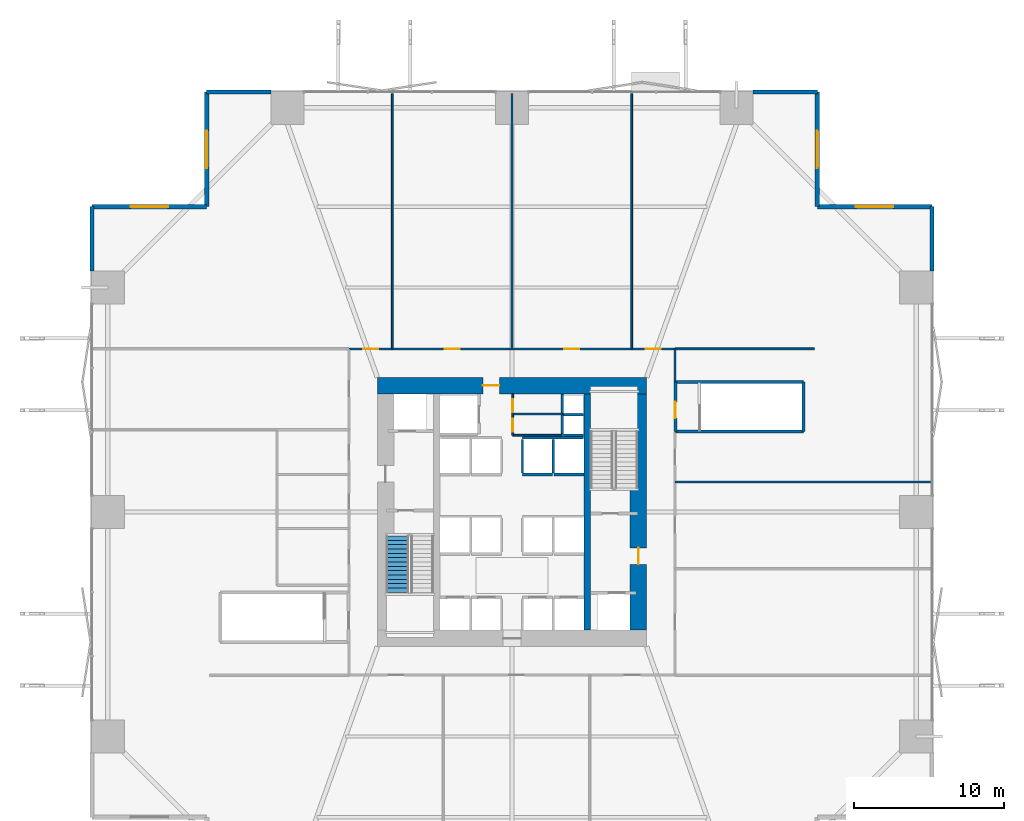
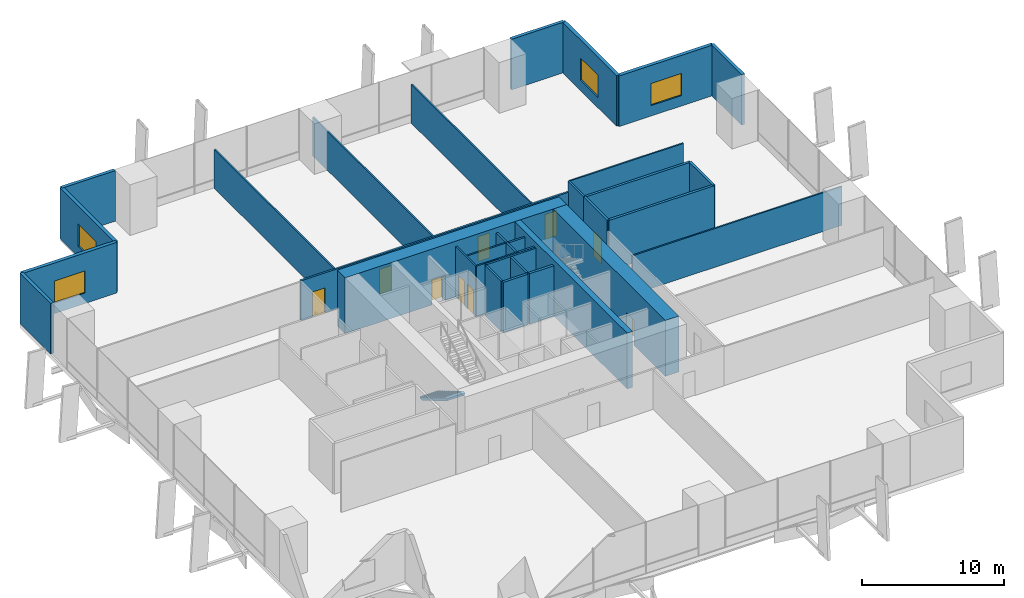
# One storey, part 21 of 24: 33 walls, 9 doors, 4 windows, 1 stair flight, 13 openings, 1 element without a shape of its own.
"""IFC4 building model written with IfcOpenShell, lengths in metres."""

from ifc_helpers import new_model, si_unit, direction, frame, frame_2d, origin, place, context, subcontext, project, spatial, polyline, rectangle, outline, extrude, material, layer, layer_set, type_object, element, fill, aggregate, save


model = new_model("IFC4")

# Units and contexts
model_context = context("Model", 3, precision=1e-05, world=origin(), true_north=direction((0.0, 1.0)))
body_context = subcontext(model_context, "Body", "Model", "MODEL_VIEW")
ifc_project = project(units=[si_unit("LENGTHUNIT", "METRE"), si_unit("AREAUNIT", "SQUARE_METRE"), si_unit("VOLUMEUNIT", "CUBIC_METRE"), si_unit("PLANEANGLEUNIT", "RADIAN"), si_unit("MASSUNIT", "GRAM", prefix="KILO")], contexts=[model_context])

# Site, building, storey
site_placement = place(None, origin())
site = spatial("IfcSite", under=ifc_project, at=site_placement, CompositionType="ELEMENT")
building_placement = place(site_placement, origin())
building = spatial("IfcBuilding", under=site, at=building_placement, Name="Belovzor Exchange Tower", CompositionType="ELEMENT")
storey_placement = place(building_placement, frame((0.0, 0.0, 19.199951171875)))
storey = spatial("IfcBuildingStorey", under=building, at=storey_placement, Name="L04", CompositionType="ELEMENT", Elevation=19.199951171875)

# Walls
ifc_material_1 = material(Name="Acoustic Plasterboard on Galvanised Studs", Category="gypsum")
ifc_layer_1 = layer(ifc_material_1, 0.1201171875)
ifc_layer_set_1 = layer_set([ifc_layer_1], Name="Acoustic Plasterboard on Galvanised Studs")
wall_type_1 = type_object("IfcWallType", Name="Acoustic Double-Stud Partition Wall 120", PredefinedType="PARTITIONING", material=ifc_layer_set_1)
for number, where, z_axis, x_axis, name in (
    (1, (20.800048828125, 39.699951171875, 0.0), (0.0, 0.0, 1.0), (0.0, 1.0, 0.0), "W-P120 Partition Wall W-L04-ND1"),
    (2, (28.800048828125, 39.699951171875, 0.0), (0.0, 0.0, 1.0), (0.0, 1.0, 0.0), "W-P120 Partition Wall W-L04-ND2"),
    (3, (36.800048828125, 39.699951171875, 0.0), (0.0, 0.0, 1.0), (0.0, 1.0, 0.0), "W-P120 Partition Wall W-L04-ND3"),
    (4, (39.699951171875, 30.800048828125, 0.0), (0.0, 0.0, 1.0), (1.0, 0.0, 0.0), "W-P120 Partition Wall W-L04-ED2"),
):
    element("IfcWall", number, at=place(storey_placement, frame(where, z_axis=z_axis, x_axis=x_axis)), inside=storey, type_object=wall_type_1, Name=name, PredefinedType="PARTITIONING", context=body_context, shape_type="SweptSolid", body=[
        extrude(rectangle(XDim=17.050048828125, YDim=0.1201171875, at=frame_2d((8.52490234375, 0.0))), origin(), (0.0, 0.0, 1.0), 3.3349609375),
    ])
wall_1_placement = place(storey_placement, frame((39.699951171875, 39.699951171875, 0.0), z_axis=(0.0, 0.0, 1.0), x_axis=(1.0, 0.0, 0.0)))
element("IfcWall", 5, at=wall_1_placement, inside=storey, type_object=wall_type_1, Name="W-P120 Partition Wall W-L04-OUT-NE", PredefinedType="PARTITIONING", context=body_context, shape_type="SweptSolid", body=[
    extrude(rectangle(XDim=9.300048828125, YDim=0.1201171875, at=frame_2d((4.64990234375, 0.0))), origin(), (0.0, 0.0, 1.0), 4.35009765625),
])

# Wall, openings, doors
ifc_material_2 = material(Name="Fire-Rated Plasterboard on Galvanised Studs", Category="gypsum")
ifc_layer_2 = layer(ifc_material_2, 0.1201171875)
ifc_layer_set_2 = layer_set([ifc_layer_2], Name="Fire-Rated Plasterboard on Galvanised Studs")
wall_type_2 = type_object("IfcWallType", Name="Fire-Rated Double-Stud Partition Wall 120", PredefinedType="PARTITIONING", material=ifc_layer_set_2)
wall_2_placement = place(storey_placement, frame((28.85009765625, 33.925048828125, 0.0), z_axis=(0.0, 0.0, 1.0), x_axis=(0.0, 1.0, 0.0)))
wall_2 = element("IfcWall", 6, at=wall_2_placement, inside=storey, type_object=wall_type_2, Name="W-P120F Partition Wall W-CRV-L04-W", PredefinedType="PARTITIONING", context=body_context, shape_type="SweptSolid", body=[
    extrude(rectangle(XDim=2.77490234375, YDim=0.1201171875, at=frame_2d((1.387451171875, 0.0))), origin(), (0.0, 0.0, 1.0), 4.35009765625),
])
opening_1_placement = place(wall_2_placement, frame((0.25, 0.0, 0.0)))
opening_1 = element("IfcOpeningElement", 7, at=opening_1_placement, cuts=wall_2, Name="Opening D-FD60-085", PredefinedType="OPENING", context=body_context, shape_type="SweptSolid", body=[
    extrude(rectangle(XDim=0.85009765625, YDim=2.10009765625, at=frame_2d((0.425048828125, 1.050048828125))), frame((0.0, 0.070068359375, 0.0), z_axis=(0.0, -1.0, 0.0), x_axis=(1.0, 0.0, 0.0)), (0.0, 0.0, 1.0), 0.14013671875),
])
opening_2_placement = place(wall_2_placement, frame((1.544921875, 0.0, 0.0)))
opening_2 = element("IfcOpeningElement", 8, at=opening_2_placement, cuts=wall_2, Name="Opening D-FD60-085", PredefinedType="OPENING", context=body_context, shape_type="SweptSolid", body=[
    extrude(rectangle(XDim=0.85009765625, YDim=2.10009765625, at=frame_2d((0.425048828125, 1.050048828125))), frame((0.0, 0.070068359375, 0.0), z_axis=(0.0, -1.0, 0.0), x_axis=(1.0, 0.0, 0.0)), (0.0, 0.0, 1.0), 0.14013671875),
])
ifc_material_3 = material(Name="Fire-Rated Steel Access Leaf", Category="steel")
door_type_1 = type_object("IfcDoorType", Name="Riser & Meter Closet Access Fire Door 850x2100", OperationType="NOTDEFINED", PredefinedType="DOOR", material=ifc_material_3)
door_1_placement = place(opening_1_placement, origin())
door_1 = element("IfcDoor", 9, at=door_1_placement, inside=storey, type_object=door_type_1, Name="D-FD60-085 Riser & Meter Closet Access Fire Door 850x2100", OperationType="SINGLE_SWING_LEFT", OverallHeight=2.10009765625, OverallWidth=0.85009765625, PredefinedType="DOOR", context=body_context, shape_type="SweptSolid", body=[
    extrude(rectangle(XDim=0.85009765625, YDim=2.10009765625, at=frame_2d((0.425048828125, 1.050048828125))), frame((0.0, 0.02490234375, 0.0), z_axis=(0.0, -1.0, 0.0), x_axis=(1.0, 0.0, 0.0)), (0.0, 0.0, 1.0), 0.050048828125),
])
fill(opening_1, door_1)
door_2_placement = place(opening_2_placement, origin())
door_2 = element("IfcDoor", 10, at=door_2_placement, inside=storey, type_object=door_type_1, Name="D-FD60-085 Riser & Meter Closet Access Fire Door 850x2100", OperationType="SINGLE_SWING_RIGHT", OverallHeight=2.10009765625, OverallWidth=0.85009765625, PredefinedType="DOOR", context=body_context, shape_type="SweptSolid", body=[
    extrude(rectangle(XDim=0.85009765625, YDim=2.10009765625, at=frame_2d((0.425048828125, 1.050048828125))), frame((0.0, 0.02490234375, 0.0), z_axis=(0.0, -1.0, 0.0), x_axis=(1.0, 0.0, 0.0)), (0.0, 0.0, 1.0), 0.050048828125),
])
fill(opening_2, door_2)

# Walls
for number, where, z_axis, x_axis, name in (
    (11, (28.85009765625, 35.35009765625, 0.0), (0.0, 0.0, 1.0), (1.0, 0.0, 0.0), "W-P120F Partition Wall W-CRV-L04-M"),
    (12, (28.85009765625, 33.925048828125, 0.0), (0.0, 0.0, 1.0), (1.0, 0.0, 0.0), "W-P120F Partition Wall W-CRV-L04-S"),
):
    element("IfcWall", number, at=place(storey_placement, frame(where, z_axis=z_axis, x_axis=x_axis)), inside=storey, type_object=wall_type_2, Name=name, PredefinedType="PARTITIONING", context=body_context, shape_type="SweptSolid", body=[
        extrude(rectangle(XDim=3.2998046875, YDim=0.1201171875, at=frame_2d((1.64990234375, 0.0))), origin(), (0.0, 0.0, 1.0), 4.35009765625),
    ])

# Wall, openings, doors
ifc_material_4 = material(Name="Fire-Rated Gypsum Block and Mineral Wool", Category="gypsum")
ifc_layer_3 = layer(ifc_material_4, 0.14990234375)
ifc_layer_set_3 = layer_set([ifc_layer_3], Name="Fire-Rated Gypsum Block and Mineral Wool")
wall_type_3 = type_object("IfcWallType", Name="Fire-Rated Gypsum Block Corridor Wall 150", PredefinedType="PARTITIONING", material=ifc_layer_set_3)
wall_3_placement = place(storey_placement, frame((17.89990234375, 39.699951171875, 0.0), z_axis=(0.0, 0.0, 1.0), x_axis=(1.0, 0.0, 0.0)))
wall_3 = element("IfcWall", 13, at=wall_3_placement, inside=storey, type_object=wall_type_3, Name="W-P150 Partition Wall W-L04-CN", PredefinedType="PARTITIONING", context=body_context, shape_type="SweptSolid", body=[
    extrude(rectangle(XDim=21.800048828125, YDim=0.14990234375, at=frame_2d((10.89990234375, 0.0))), origin(), (0.0, 0.0, 1.0), 3.43505859375),
])
opening_3_placement = place(wall_3_placement, frame((0.949951171875, 0.0, 0.0)))
opening_3 = element("IfcOpeningElement", 14, at=opening_3_placement, cuts=wall_3, Name="Opening D-FD60-105", PredefinedType="OPENING", context=body_context, shape_type="SweptSolid", body=[
    extrude(rectangle(XDim=1.0, YDim=2.14990234375, at=frame_2d((0.5, 1.074951171875))), frame((0.0, 0.0849609375, 0.0), z_axis=(0.0, -1.0, 0.0), x_axis=(1.0, 0.0, 0.0)), (0.0, 0.0, 1.0), 0.169921875),
])
opening_4_placement = place(wall_3_placement, frame((6.39990234375, 0.0, 0.0)))
opening_4 = element("IfcOpeningElement", 15, at=opening_4_placement, cuts=wall_3, Name="Opening D-FD60-105", PredefinedType="OPENING", context=body_context, shape_type="SweptSolid", body=[
    extrude(rectangle(XDim=1.0, YDim=2.14990234375, at=frame_2d((0.5, 1.074951171875))), frame((0.0, 0.0849609375, 0.0), z_axis=(0.0, -1.0, 0.0), x_axis=(1.0, 0.0, 0.0)), (0.0, 0.0, 1.0), 0.169921875),
])
opening_5_placement = place(wall_3_placement, frame((14.39990234375, 0.0, 0.0)))
opening_5 = element("IfcOpeningElement", 16, at=opening_5_placement, cuts=wall_3, Name="Opening D-FD60-105", PredefinedType="OPENING", context=body_context, shape_type="SweptSolid", body=[
    extrude(rectangle(XDim=1.0, YDim=2.14990234375, at=frame_2d((0.5, 1.074951171875))), frame((0.0, 0.0849609375, 0.0), z_axis=(0.0, -1.0, 0.0), x_axis=(1.0, 0.0, 0.0)), (0.0, 0.0, 1.0), 0.169921875),
])
opening_6_placement = place(wall_3_placement, frame((19.85009765625, 0.0, 0.0)))
opening_6 = element("IfcOpeningElement", 17, at=opening_6_placement, cuts=wall_3, Name="Opening D-FD60-105", PredefinedType="OPENING", context=body_context, shape_type="SweptSolid", body=[
    extrude(rectangle(XDim=1.0, YDim=2.14990234375, at=frame_2d((0.5, 1.074951171875))), frame((0.0, 0.0849609375, 0.0), z_axis=(0.0, -1.0, 0.0), x_axis=(1.0, 0.0, 0.0)), (0.0, 0.0, 1.0), 0.169921875),
])
ifc_material_5 = material(Name="Acoustic Timber Fire Leaf", Category="wood")
door_type_2 = type_object("IfcDoorType", Name="Podium Gallery Acoustic Fire Door 1000x2150", OperationType="NOTDEFINED", PredefinedType="DOOR", material=ifc_material_5)
door_3_placement = place(opening_3_placement, origin())
door_3 = element("IfcDoor", 18, at=door_3_placement, inside=storey, type_object=door_type_2, Name="D-FD60-105 Podium Gallery Acoustic Fire Door 1000x2150", OperationType="SINGLE_SWING_RIGHT", OverallHeight=2.14990234375, OverallWidth=1.0, PredefinedType="DOOR", context=body_context, shape_type="SweptSolid", body=[
    extrude(rectangle(XDim=1.0, YDim=2.14990234375, at=frame_2d((0.5, 1.074951171875))), frame((0.0, 0.02490234375, 0.0), z_axis=(0.0, -1.0, 0.0), x_axis=(1.0, 0.0, 0.0)), (0.0, 0.0, 1.0), 0.050048828125),
])
fill(opening_3, door_3)
door_4_placement = place(opening_4_placement, origin())
door_4 = element("IfcDoor", 19, at=door_4_placement, inside=storey, type_object=door_type_2, Name="D-FD60-105 Podium Gallery Acoustic Fire Door 1000x2150", OperationType="SINGLE_SWING_RIGHT", OverallHeight=2.14990234375, OverallWidth=1.0, PredefinedType="DOOR", context=body_context, shape_type="SweptSolid", body=[
    extrude(rectangle(XDim=1.0, YDim=2.14990234375, at=frame_2d((0.5, 1.074951171875))), frame((0.0, 0.02490234375, 0.0), z_axis=(0.0, -1.0, 0.0), x_axis=(1.0, 0.0, 0.0)), (0.0, 0.0, 1.0), 0.050048828125),
])
fill(opening_4, door_4)
door_5_placement = place(opening_5_placement, origin())
door_5 = element("IfcDoor", 20, at=door_5_placement, inside=storey, type_object=door_type_2, Name="D-FD60-105 Podium Gallery Acoustic Fire Door 1000x2150", OperationType="SINGLE_SWING_RIGHT", OverallHeight=2.14990234375, OverallWidth=1.0, PredefinedType="DOOR", context=body_context, shape_type="SweptSolid", body=[
    extrude(rectangle(XDim=1.0, YDim=2.14990234375, at=frame_2d((0.5, 1.074951171875))), frame((0.0, 0.02490234375, 0.0), z_axis=(0.0, -1.0, 0.0), x_axis=(1.0, 0.0, 0.0)), (0.0, 0.0, 1.0), 0.050048828125),
])
fill(opening_5, door_5)
door_6_placement = place(opening_6_placement, origin())
door_6 = element("IfcDoor", 21, at=door_6_placement, inside=storey, type_object=door_type_2, Name="D-FD60-105 Podium Gallery Acoustic Fire Door 1000x2150", OperationType="SINGLE_SWING_RIGHT", OverallHeight=2.14990234375, OverallWidth=1.0, PredefinedType="DOOR", context=body_context, shape_type="SweptSolid", body=[
    extrude(rectangle(XDim=1.0, YDim=2.14990234375, at=frame_2d((0.5, 1.074951171875))), frame((0.0, 0.02490234375, 0.0), z_axis=(0.0, -1.0, 0.0), x_axis=(1.0, 0.0, 0.0)), (0.0, 0.0, 1.0), 0.050048828125),
])
fill(opening_6, door_6)

# Wall
wall_4_placement = place(storey_placement, frame((39.699951171875, 37.5, 0.0), z_axis=(0.0, 0.0, 1.0), x_axis=(0.0, 1.0, 0.0)))
element("IfcWall", 22, at=wall_4_placement, inside=storey, type_object=wall_type_3, Name="W-P150 Partition Wall W-L04-CEN", PredefinedType="PARTITIONING", context=body_context, shape_type="SweptSolid", body=[
    extrude(rectangle(XDim=2.199951171875, YDim=0.14990234375, at=frame_2d((1.10009765625, 0.0))), origin(), (0.0, 0.0, 1.0), 4.35009765625),
])

# Wall, opening, window
ifc_material_6 = material(Name="Precast concrete C40/50", Category="concrete")
ifc_layer_4 = layer(ifc_material_6, 0.280029296875)
ifc_layer_set_4 = layer_set([ifc_layer_4], Name="Precast concrete C40/50")
wall_type_4 = type_object("IfcWallType", Name="Precast Concrete Notched Corner Frame Wall 280", PredefinedType="SOLIDWALL", material=ifc_layer_set_4)
wall_5_placement = place(storey_placement, frame((0.72998046875, 49.199951171875, 0.0), z_axis=(0.0, 0.0, 1.0), x_axis=(1.0, 0.0, 0.0)))
wall_5 = element("IfcWall", 23, at=wall_5_placement, inside=storey, type_object=wall_type_4, Name="W-CRN280 Precast Concrete Notched Corner Frame Wall 280 L04", PredefinedType="SOLIDWALL", context=body_context, shape_type="SweptSolid", body=[
    extrude(rectangle(XDim=7.669921875, YDim=0.280029296875, at=frame_2d((3.8349609375, 0.0))), origin(), (0.0, 0.0, 1.0), 4.35009765625),
])
opening_7_placement = place(wall_5_placement, frame((2.5849609375, 0.0, 0.89990234375)))
opening_7 = element("IfcOpeningElement", 24, at=opening_7_placement, cuts=wall_5, Name="Opening WN-CRN250", PredefinedType="OPENING", context=body_context, shape_type="SweptSolid", body=[
    extrude(rectangle(XDim=2.5, YDim=1.89990234375, at=frame_2d((1.25, 0.949951171875))), frame((0.0, 0.14990234375, 0.0), z_axis=(0.0, -1.0, 0.0), x_axis=(1.0, 0.0, 0.0)), (0.0, 0.0, 1.0), 0.300048828125),
])
ifc_material_7 = material(Name="Thermally Broken Aluminium and Triple Glazing", Category="aluminium")
window_type = type_object("IfcWindowType", Name="Streamline Moderne Corner Wrap Ribbon Window 2500x1900", PartitioningType="SINGLE_PANEL", PredefinedType="WINDOW", material=ifc_material_7)
window_1_placement = place(opening_7_placement, origin())
window_1 = element("IfcWindow", 25, at=window_1_placement, inside=storey, type_object=window_type, Name="WN-CRN250 Streamline Moderne Corner Wrap Ribbon Window 2500x1900", OverallHeight=1.89990234375, OverallWidth=2.5, PartitioningType="SINGLE_PANEL", PredefinedType="WINDOW", context=body_context, shape_type="SweptSolid", body=[
    extrude(rectangle(XDim=2.5, YDim=1.89990234375, at=frame_2d((1.25, 0.949951171875))), frame((0.0, 0.030029296875, 0.0), z_axis=(0.0, -1.0, 0.0), x_axis=(1.0, 0.0, 0.0)), (0.0, 0.0, 1.0), 0.06005859375),
])
fill(opening_7, window_1)

wall_6_placement = place(storey_placement, frame((8.39990234375, 49.199951171875, 0.0), z_axis=(0.0, 0.0, 1.0), x_axis=(0.0, 1.0, 0.0)))
wall_6 = element("IfcWall", 26, at=wall_6_placement, inside=storey, type_object=wall_type_4, Name="W-CRN280 Precast Concrete Notched Corner Frame Wall 280 L04", PredefinedType="SOLIDWALL", context=body_context, shape_type="SweptSolid", body=[
    extrude(rectangle(XDim=7.670166015625, YDim=0.280029296875, at=frame_2d((3.8349609375, 0.0))), origin(), (0.0, 0.0, 1.0), 4.35009765625),
])
opening_8_placement = place(wall_6_placement, frame((2.5849609375, 0.0, 0.89990234375)))
opening_8 = element("IfcOpeningElement", 27, at=opening_8_placement, cuts=wall_6, Name="Opening WN-CRN250", PredefinedType="OPENING", context=body_context, shape_type="SweptSolid", body=[
    extrude(rectangle(XDim=2.5, YDim=1.89990234375, at=frame_2d((1.25, 0.949951171875))), frame((0.0, 0.14990234375, 0.0), z_axis=(0.0, -1.0, 0.0), x_axis=(1.0, 0.0, 0.0)), (0.0, 0.0, 1.0), 0.300048828125),
])
window_2_placement = place(opening_8_placement, origin())
window_2 = element("IfcWindow", 28, at=window_2_placement, inside=storey, type_object=window_type, Name="WN-CRN250 Streamline Moderne Corner Wrap Ribbon Window 2500x1900", OverallHeight=1.89990234375, OverallWidth=2.5, PartitioningType="SINGLE_PANEL", PredefinedType="WINDOW", context=body_context, shape_type="SweptSolid", body=[
    extrude(rectangle(XDim=2.5, YDim=1.89990234375, at=frame_2d((1.25, 0.949951171875))), frame((0.0, 0.030029296875, 0.0), z_axis=(0.0, -1.0, 0.0), x_axis=(1.0, 0.0, 0.0)), (0.0, 0.0, 1.0), 0.06005859375),
])
fill(opening_8, window_2)

wall_7_placement = place(storey_placement, frame((49.199951171875, 56.8701171875, 0.0), z_axis=(0.0, 0.0, 1.0), x_axis=(0.0, -1.0, 0.0)))
wall_7 = element("IfcWall", 29, at=wall_7_placement, inside=storey, type_object=wall_type_4, Name="W-CRN280 Precast Concrete Notched Corner Frame Wall 280 L04", PredefinedType="SOLIDWALL", context=body_context, shape_type="SweptSolid", body=[
    extrude(rectangle(XDim=7.670166015625, YDim=0.280029296875, at=frame_2d((3.8349609375, 0.0))), origin(), (0.0, 0.0, 1.0), 4.35009765625),
])
opening_9_placement = place(wall_7_placement, frame((2.5849609375, 0.0, 0.89990234375)))
opening_9 = element("IfcOpeningElement", 30, at=opening_9_placement, cuts=wall_7, Name="Opening WN-CRN250", PredefinedType="OPENING", context=body_context, shape_type="SweptSolid", body=[
    extrude(rectangle(XDim=2.5, YDim=1.89990234375, at=frame_2d((1.25, 0.949951171875))), frame((0.0, 0.14990234375, 0.0), z_axis=(0.0, -1.0, 0.0), x_axis=(1.0, 0.0, 0.0)), (0.0, 0.0, 1.0), 0.300048828125),
])
window_3_placement = place(opening_9_placement, origin())
window_3 = element("IfcWindow", 31, at=window_3_placement, inside=storey, type_object=window_type, Name="WN-CRN250 Streamline Moderne Corner Wrap Ribbon Window 2500x1900", OverallHeight=1.89990234375, OverallWidth=2.5, PartitioningType="SINGLE_PANEL", PredefinedType="WINDOW", context=body_context, shape_type="SweptSolid", body=[
    extrude(rectangle(XDim=2.5, YDim=1.89990234375, at=frame_2d((1.25, 0.949951171875))), frame((0.0, 0.030029296875, 0.0), z_axis=(0.0, -1.0, 0.0), x_axis=(1.0, 0.0, 0.0)), (0.0, 0.0, 1.0), 0.06005859375),
])
fill(opening_9, window_3)

wall_8_placement = place(storey_placement, frame((49.199951171875, 49.199951171875, 0.0), z_axis=(0.0, 0.0, 1.0), x_axis=(1.0, 0.0, 0.0)))
wall_8 = element("IfcWall", 32, at=wall_8_placement, inside=storey, type_object=wall_type_4, Name="W-CRN280 Precast Concrete Notched Corner Frame Wall 280 L04", PredefinedType="SOLIDWALL", context=body_context, shape_type="SweptSolid", body=[
    extrude(rectangle(XDim=7.670166015625, YDim=0.280029296875, at=frame_2d((3.8349609375, 0.0))), origin(), (0.0, 0.0, 1.0), 4.35009765625),
])
opening_10_placement = place(wall_8_placement, frame((2.5849609375, 0.0, 0.89990234375)))
opening_10 = element("IfcOpeningElement", 33, at=opening_10_placement, cuts=wall_8, Name="Opening WN-CRN250", PredefinedType="OPENING", context=body_context, shape_type="SweptSolid", body=[
    extrude(rectangle(XDim=2.5, YDim=1.89990234375, at=frame_2d((1.25, 0.949951171875))), frame((0.0, 0.14990234375, 0.0), z_axis=(0.0, -1.0, 0.0), x_axis=(1.0, 0.0, 0.0)), (0.0, 0.0, 1.0), 0.300048828125),
])
window_4_placement = place(opening_10_placement, origin())
window_4 = element("IfcWindow", 34, at=window_4_placement, inside=storey, type_object=window_type, Name="WN-CRN250 Streamline Moderne Corner Wrap Ribbon Window 2500x1900", OverallHeight=1.89990234375, OverallWidth=2.5, PartitioningType="SINGLE_PANEL", PredefinedType="WINDOW", context=body_context, shape_type="SweptSolid", body=[
    extrude(rectangle(XDim=2.5, YDim=1.89990234375, at=frame_2d((1.25, 0.949951171875))), frame((0.0, 0.030029296875, 0.0), z_axis=(0.0, -1.0, 0.0), x_axis=(1.0, 0.0, 0.0)), (0.0, 0.0, 1.0), 0.06005859375),
])
fill(opening_10, window_4)

# Walls
ifc_material_8 = material(Name="Precast concrete C40/50", Category="concrete")
ifc_layer_5 = layer(ifc_material_8, 0.260009765625)
ifc_layer_set_5 = layer_set([ifc_layer_5], Name="Precast concrete C40/50")
wall_type_5 = type_object("IfcWallType", Name="Precast Concrete Perimeter Loggia Frame Wall 260", PredefinedType="SOLIDWALL", material=ifc_layer_set_5)
for number, where, z_axis, x_axis, name in (
    (35, (8.39990234375, 56.8701171875, 0.0), (0.0, 0.0, 1.0), (1.0, 0.0, 0.0), "W-EXT260 Precast Concrete Perimeter Loggia Frame Wall 260 L04"),
    (36, (44.89990234375, 56.8701171875, 0.0), (0.0, 0.0, 1.0), (1.0, 0.0, 0.0), "W-EXT260 Precast Concrete Perimeter Loggia Frame Wall 260 L04"),
    (37, (0.72998046875, 44.89990234375, 0.0), (0.0, 0.0, 1.0), (0.0, 1.0, 0.0), "W-EXT260 Precast Concrete Perimeter Loggia Frame Wall 260 L04"),
    (38, (56.8701171875, 49.199951171875, 0.0), (0.0, 0.0, 1.0), (0.0, -1.0, 0.0), "W-EXT260 Precast Concrete Perimeter Loggia Frame Wall 260 L04"),
):
    element("IfcWall", number, at=place(storey_placement, frame(where, z_axis=z_axis, x_axis=x_axis)), inside=storey, type_object=wall_type_5, Name=name, PredefinedType="SOLIDWALL", context=body_context, shape_type="SweptSolid", body=[
        extrude(rectangle(XDim=4.300048828125, YDim=0.260009765625, at=frame_2d((2.14990234375, 0.0))), origin(), (0.0, 0.0, 1.0), 4.35009765625),
    ])
ifc_material_9 = material(Name="Concrete C50/60", Category="concrete")
ifc_layer_6 = layer(ifc_material_9, 0.449951171875)
ifc_layer_set_6 = layer_set([ifc_layer_6], Name="Concrete C50/60")
wall_type_6 = type_object("IfcWallType", Name="Reinforced Concrete Core Internal Web Wall 450", PredefinedType="SHEAR", material=ifc_layer_set_6)
wall_9_placement = place(storey_placement, frame((33.824951171875, 20.89990234375, 0.0), z_axis=(0.0, 0.0, 1.0), x_axis=(0.0, 1.0, 0.0)))
element("IfcWall", 39, at=wall_9_placement, inside=storey, type_object=wall_type_6, Name="CW-W045 Core Internal Web Wall L04 ER", PredefinedType="SHEAR", context=body_context, shape_type="SweptSolid", body=[
    extrude(rectangle(XDim=15.800048828125, YDim=0.449951171875, at=frame_2d((7.89990234375, 0.0))), origin(), (0.0, 0.0, 1.0), 4.800048828125),
])
ifc_material_10 = material(Name="Concrete C50/60", Category="concrete")
ifc_layer_7 = layer(ifc_material_10, 0.14990234375)
ifc_layer_set_7 = layer_set([ifc_layer_7], Name="Concrete C50/60")
wall_type_7 = type_object("IfcWallType", Name="Reinforced Concrete Core Riser Shear Wall 150", PredefinedType="SHEAR", material=ifc_layer_set_7)
wall_10_placement = place(storey_placement, frame((32.14990234375, 34.0, 0.0), z_axis=(0.0, 0.0, 1.0), x_axis=(0.0, 1.0, 0.0)))
element("IfcWall", 40, at=wall_10_placement, inside=storey, type_object=wall_type_7, Name="W-C150S Core Shaft Wall W-RSR-L04-E", PredefinedType="SHEAR", context=body_context, shape_type="SweptSolid", body=[
    extrude(rectangle(XDim=2.699951171875, YDim=0.14990234375, at=frame_2d((1.35009765625, 0.0))), origin(), (0.0, 0.0, 1.0), 4.35009765625),
])
for number, where, z_axis, x_axis, name in (
    (41, (32.25, 33.925048828125, 0.0), (0.0, 0.0, 1.0), (1.0, 0.0, 0.0), "W-C150S Core Shaft Wall W-RSR-L04-S"),
    (42, (32.25, 35.300048828125, 0.0), (0.0, 0.0, 1.0), (1.0, 0.0, 0.0), "W-C150S Core Shaft Wall W-RSR-L04-M"),
):
    element("IfcWall", number, at=place(storey_placement, frame(where, z_axis=z_axis, x_axis=x_axis)), inside=storey, type_object=wall_type_7, Name=name, PredefinedType="SHEAR", context=body_context, shape_type="SweptSolid", body=[
        extrude(rectangle(XDim=1.330078125, YDim=0.14990234375, at=frame_2d((0.6650390625, 0.0))), origin(), (0.0, 0.0, 1.0), 4.35009765625),
    ])
wall_11_placement = place(storey_placement, frame((29.5, 33.760009765625, 0.0), z_axis=(0.0, 0.0, 1.0), x_axis=(1.0, 0.0, 0.0)))
element("IfcWall", 43, at=wall_11_placement, inside=storey, type_object=wall_type_7, Name="W-C150S Core Shaft Wall W-SHB-L04-PLH-NE", PredefinedType="SHEAR", context=body_context, shape_type="SweptSolid", body=[
    extrude(rectangle(XDim=4.080078125, YDim=0.14990234375, at=frame_2d((2.0400390625, 0.0))), origin(), (0.0, 0.0, 1.0), 4.35009765625),
])
for number, where, z_axis, x_axis, name in (
    (44, (29.5, 31.419921875, 0.0), (0.0, 0.0, 1.0), (0.0, 1.0, 0.0), "W-C150S Core Shaft Wall W-SHD-L04-PLH-3"),
    (45, (31.550048828125, 31.419921875, 0.0), (0.0, 0.0, 1.0), (0.0, 1.0, 0.0), "W-C150S Core Shaft Wall W-SHD-L04-PLH-4"),
):
    element("IfcWall", number, at=place(storey_placement, frame(where, z_axis=z_axis, x_axis=x_axis)), inside=storey, type_object=wall_type_7, Name=name, PredefinedType="SHEAR", context=body_context, shape_type="SweptSolid", body=[
        extrude(rectangle(XDim=2.239990234375, YDim=0.14990234375, at=frame_2d((1.1201171875, 0.0))), origin(), (0.0, 0.0, 1.0), 4.35009765625),
    ])
ifc_material_11 = material(Name="Concrete C50/60", Category="concrete")
ifc_layer_8 = layer(ifc_material_11, 0.199951171875)
ifc_layer_set_8 = layer_set([ifc_layer_8], Name="Concrete C50/60")
wall_type_8 = type_object("IfcWallType", Name="Reinforced Concrete Core Shaft Shear Wall 200", PredefinedType="SHEAR", material=ifc_layer_set_8)
for number, where, z_axis, x_axis, name in (
    (46, (29.5, 31.300048828125, 0.0), (0.0, 0.0, 1.0), (1.0, 0.0, 0.0), "W-C200S Core Shaft Wall W-SH-L04-PL-H3"),
    (47, (31.60009765625, 31.300048828125, 0.0), (0.0, 0.0, 1.0), (1.0, 0.0, 0.0), "W-C200S Core Shaft Wall W-SH-L04-PL-H4"),
):
    element("IfcWall", number, at=place(storey_placement, frame(where, z_axis=z_axis, x_axis=x_axis)), inside=storey, type_object=wall_type_8, Name=name, PredefinedType="SHEAR", context=body_context, shape_type="SweptSolid", body=[
        extrude(rectangle(XDim=2.0, YDim=0.199951171875, at=frame_2d((1.0, 0.0))), origin(), (0.0, 0.0, 1.0), 4.35009765625),
    ])
for number, where, z_axis, x_axis, name in (
    (48, (39.715087890625, 34.1650390625, 0.0), (0.0, 0.0, 1.0), (1.0, 0.0, 0.0), "W-C200S Core Shaft Wall W-ST4-L04-S"),
    (49, (39.715087890625, 37.485107421875, 0.0), (0.0, 0.0, 1.0), (1.0, 0.0, 0.0), "W-C200S Core Shaft Wall W-ST4-L04-N"),
):
    element("IfcWall", number, at=place(storey_placement, frame(where, z_axis=z_axis, x_axis=x_axis)), inside=storey, type_object=wall_type_8, Name=name, PredefinedType="SHEAR", context=body_context, shape_type="SweptSolid", body=[
        extrude(rectangle(XDim=8.56982421875, YDim=0.199951171875, at=frame_2d((4.284912109375, 0.0))), origin(), (0.0, 0.0, 1.0), 4.35009765625),
    ])
wall_12_placement = place(storey_placement, frame((48.284912109375, 34.1650390625, 0.0), z_axis=(0.0, 0.0, 1.0), x_axis=(0.0, 1.0, 0.0)))
element("IfcWall", 50, at=wall_12_placement, inside=storey, type_object=wall_type_8, Name="W-C200S Core Shaft Wall W-ST4-L04-E", PredefinedType="SHEAR", context=body_context, shape_type="SweptSolid", body=[
    extrude(rectangle(XDim=3.320068359375, YDim=0.199951171875, at=frame_2d((1.66015625, 0.0))), origin(), (0.0, 0.0, 1.0), 4.35009765625),
])

# Wall, opening, door
wall_13_placement = place(storey_placement, frame((39.715087890625, 34.1650390625, 0.0), z_axis=(0.0, 0.0, 1.0), x_axis=(0.0, 1.0, 0.0)))
wall_13 = element("IfcWall", 51, at=wall_13_placement, inside=storey, type_object=wall_type_8, Name="W-C200S Core Shaft Wall W-ST4-L04-W", PredefinedType="SHEAR", context=body_context, shape_type="SweptSolid", body=[
    extrude(rectangle(XDim=3.320068359375, YDim=0.199951171875, at=frame_2d((1.66015625, 0.0))), origin(), (0.0, 0.0, 1.0), 4.35009765625),
])
opening_11_placement = place(wall_13_placement, frame((0.89990234375, 0.0, 0.0)))
opening_11 = element("IfcOpeningElement", 52, at=opening_11_placement, cuts=wall_13, Name="Opening D-FD90-110", PredefinedType="OPENING", context=body_context, shape_type="SweptSolid", body=[
    extrude(rectangle(XDim=1.10009765625, YDim=2.14990234375, at=frame_2d((0.550048828125, 1.074951171875))), frame((0.0, 0.10986328125, 0.0), z_axis=(0.0, -1.0, 0.0), x_axis=(1.0, 0.0, 0.0)), (0.0, 0.0, 1.0), 0.219970703125),
])
ifc_material_12 = material(Name="Fire-Rated Galvanised Steel Leaf", Category="steel")
door_type_3 = type_object("IfcDoorType", Name="Protected Escape Vestibule Fire Door 1100x2150", OperationType="NOTDEFINED", PredefinedType="DOOR", material=ifc_material_12)
door_7_placement = place(opening_11_placement, origin())
door_7 = element("IfcDoor", 53, at=door_7_placement, inside=storey, type_object=door_type_3, Name="D-FD90-110 Protected Escape Vestibule Fire Door 1100x2150", OperationType="SINGLE_SWING_RIGHT", OverallHeight=2.14990234375, OverallWidth=1.10009765625, PredefinedType="DOOR", context=body_context, shape_type="SweptSolid", body=[
    extrude(rectangle(XDim=1.10009765625, YDim=2.14990234375, at=frame_2d((0.550048828125, 1.074951171875))), frame((0.0, 0.02490234375, 0.0), z_axis=(0.0, -1.0, 0.0), x_axis=(1.0, 0.0, 0.0)), (0.0, 0.0, 1.0), 0.050048828125),
])
fill(opening_11, door_7)

ifc_material_13 = material(Name="Concrete C60/75", Category="concrete")
ifc_layer_9 = layer(ifc_material_13, 1.10009765625)
ifc_layer_set_9 = layer_set([ifc_layer_9], Name="Concrete C60/75")
wall_type_9 = type_object("IfcWallType", Name="Reinforced Concrete Core Shear Wall 1100", PredefinedType="SHEAR", material=ifc_layer_set_9)
wall_14_placement = place(storey_placement, frame((19.800048828125, 37.25, 0.0), z_axis=(0.0, 0.0, 1.0), x_axis=(1.0, 0.0, 0.0)))
wall_14 = element("IfcWall", 54, at=wall_14_placement, inside=storey, type_object=wall_type_9, Name="CW-S110 Core Shear Wall L04 N", PredefinedType="SHEAR", context=body_context, shape_type="SweptSolid", body=[
    extrude(rectangle(XDim=18.0, YDim=1.10009765625, at=frame_2d((9.0, 0.0))), origin(), (0.0, 0.0, 1.0), 4.800048828125),
])
opening_12_placement = place(wall_14_placement, frame((7.050048828125, 0.0, 0.0)))
opening_12 = element("IfcOpeningElement", 55, at=opening_12_placement, cuts=wall_14, Name="Opening D-FD90-110", PredefinedType="OPENING", context=body_context, shape_type="SweptSolid", body=[
    extrude(rectangle(XDim=1.10009765625, YDim=2.14990234375, at=frame_2d((0.550048828125, 1.074951171875))), frame((0.0, 0.56005859375, 0.0), z_axis=(0.0, -1.0, 0.0), x_axis=(1.0, 0.0, 0.0)), (0.0, 0.0, 1.0), 1.1201171875),
])
door_8_placement = place(opening_12_placement, origin())
door_8 = element("IfcDoor", 56, at=door_8_placement, inside=storey, type_object=door_type_3, Name="D-FD90-110 Protected Escape Vestibule Fire Door 1100x2150", OperationType="SINGLE_SWING_RIGHT", OverallHeight=2.14990234375, OverallWidth=1.10009765625, PredefinedType="DOOR", context=body_context, shape_type="SweptSolid", body=[
    extrude(rectangle(XDim=1.10009765625, YDim=2.14990234375, at=frame_2d((0.550048828125, 1.074951171875))), frame((0.0, 0.02490234375, 0.0), z_axis=(0.0, -1.0, 0.0), x_axis=(1.0, 0.0, 0.0)), (0.0, 0.0, 1.0), 0.050048828125),
])
fill(opening_12, door_8)

wall_15_placement = place(storey_placement, frame((37.25, 20.89990234375, 0.0), z_axis=(0.0, 0.0, 1.0), x_axis=(0.0, 1.0, 0.0)))
wall_15 = element("IfcWall", 57, at=wall_15_placement, inside=storey, type_object=wall_type_9, Name="CW-S110 Core Shear Wall L04 E", PredefinedType="SHEAR", context=body_context, shape_type="SweptSolid", body=[
    extrude(rectangle(XDim=15.800048828125, YDim=1.10009765625, at=frame_2d((7.89990234375, 0.0))), origin(), (0.0, 0.0, 1.0), 4.800048828125),
])
opening_13_placement = place(wall_15_placement, frame((4.39990234375, 0.0, 0.0)))
opening_13 = element("IfcOpeningElement", 58, at=opening_13_placement, cuts=wall_15, Name="Opening D-FD90-110", PredefinedType="OPENING", context=body_context, shape_type="SweptSolid", body=[
    extrude(rectangle(XDim=1.10009765625, YDim=2.14990234375, at=frame_2d((0.550048828125, 1.074951171875))), frame((0.0, 0.56005859375, 0.0), z_axis=(0.0, -1.0, 0.0), x_axis=(1.0, 0.0, 0.0)), (0.0, 0.0, 1.0), 1.1201171875),
])
door_9_placement = place(opening_13_placement, origin())
door_9 = element("IfcDoor", 59, at=door_9_placement, inside=storey, type_object=door_type_3, Name="D-FD90-110 Protected Escape Vestibule Fire Door 1100x2150", OperationType="SINGLE_SWING_RIGHT", OverallHeight=2.14990234375, OverallWidth=1.10009765625, PredefinedType="DOOR", context=body_context, shape_type="SweptSolid", body=[
    extrude(rectangle(XDim=1.10009765625, YDim=2.14990234375, at=frame_2d((0.550048828125, 1.074951171875))), frame((0.0, 0.02490234375, 0.0), z_axis=(0.0, -1.0, 0.0), x_axis=(1.0, 0.0, 0.0)), (0.0, 0.0, 1.0), 0.050048828125),
])
fill(opening_13, door_9)

# Stair, stair flight
ifc_material_14 = material(Name="Concrete C40/50", Category="concrete")
stair_type = type_object("IfcStairType", Name="Reinforced Concrete Dogleg Escape Stair 1350", PredefinedType="HALF_TURN_STAIR", material=ifc_material_14)
stair_placement = place(storey_placement, origin())
stair = element("IfcStair", 60, at=stair_placement, inside=storey, type_object=stair_type, Name="L04 ST-1", PredefinedType="HALF_TURN_STAIR")
ifc_material_15 = material(Name="Concrete C40/50", Category="concrete")
stair_flight_type = type_object("IfcStairFlightType", Name="Reinforced Concrete Stair Flight 1350", PredefinedType="STRAIGHT", material=ifc_material_15)
stair_flight_placement = place(storey_placement, frame((21.14990234375, 27.199951171875, 0.0), z_axis=(0.0, 0.0, 1.0), x_axis=(0.0, -1.0, 0.0)))
stair_flight = element("IfcStairFlight", 61, at=stair_flight_placement, type_object=stair_flight_type, Name="ST-1 flight 1", NumberOfRisers=14, NumberOfTreads=13, PredefinedType="STRAIGHT", RiserHeight=0.171428571, TreadLength=0.29, context=body_context, shape_type="SweptSolid", body=[
    extrude(outline(polyline([(0.0, 0.0), (0.0, 0.17138671875), (0.2900390625, 0.17138671875), (0.2900390625, 0.3427734375), (0.580078125, 0.3427734375), (0.580078125, 0.514404296875), (0.8701171875, 0.514404296875), (0.8701171875, 0.685791015625), (1.159912109375, 0.685791015625), (1.159912109375, 0.857177734375), (1.449951171875, 0.857177734375), (1.449951171875, 1.028564453125), (1.739990234375, 1.028564453125), (1.739990234375, 1.199951171875), (2.030029296875, 1.199951171875), (2.030029296875, 1.371337890625), (2.320068359375, 1.371337890625), (2.320068359375, 1.54296875), (2.610107421875, 1.54296875), (2.610107421875, 1.71435546875), (2.89990234375, 1.71435546875), (2.89990234375, 1.8857421875), (3.18994140625, 1.8857421875), (3.18994140625, 2.05712890625), (3.47998046875, 2.05712890625), (3.47998046875, 2.228515625), (3.77001953125, 2.228515625), (3.77001953125, 2.39990234375), (3.77001953125, 2.054443359375), (0.294677734375, 0.0), (0.0, 0.0)])), frame((0.0, 0.75, 0.0), z_axis=(0.0, -1.0, 0.0), x_axis=(1.0, 0.0, 0.0)), (0.0, 0.0, 1.0), 1.5),
])
aggregate(stair, [stair_flight])

save(model, "model.ifc")
